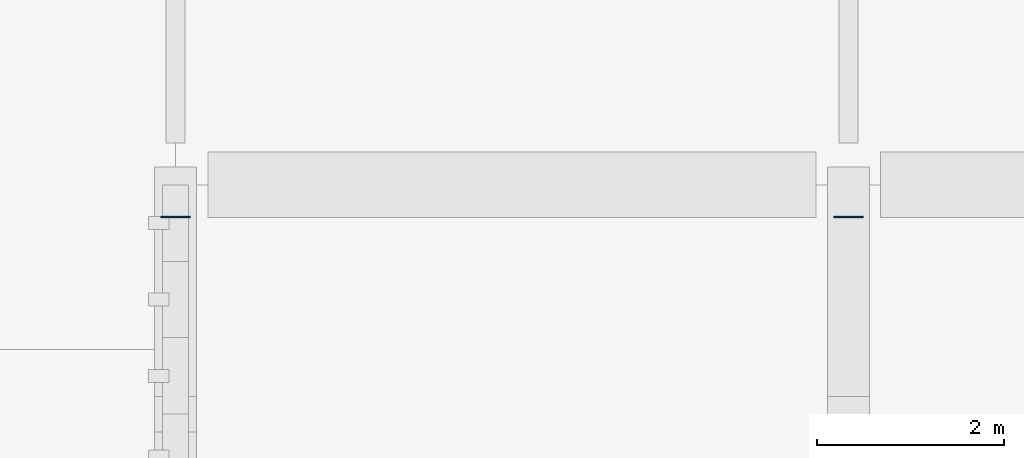
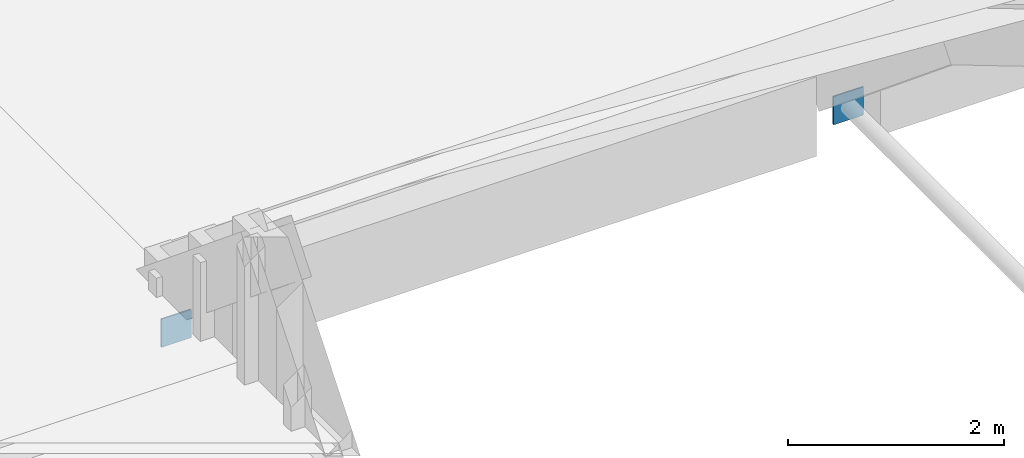
# One storey, part 42 of 71: 2 plates.
"""IFC4 building model written with IfcOpenShell, lengths in metres."""

from ifc_helpers import new_model, si_unit, direction, frame, origin, origin_2d, place, context, subcontext, project, spatial, rectangle, extrude, material, layer, layer_set, type_object, element, save


model = new_model("IFC4")

# Units and contexts
model_context = context("Model", 3, precision=1e-05, world=origin(), true_north=direction((0.0, 1.0)))
body_context = subcontext(model_context, "Body", "Model", "MODEL_VIEW")
ifc_project = project(units=[si_unit("LENGTHUNIT", "METRE"), si_unit("AREAUNIT", "SQUARE_METRE"), si_unit("VOLUMEUNIT", "CUBIC_METRE"), si_unit("PLANEANGLEUNIT", "RADIAN"), si_unit("MASSUNIT", "GRAM", prefix="KILO")], contexts=[model_context])

# Site, building, storey
site_placement = place(None, origin())
site = spatial("IfcSite", under=ifc_project, at=site_placement, CompositionType="ELEMENT")
building_placement = place(site_placement, origin())
building = spatial("IfcBuilding", under=site, at=building_placement, Name="Sardonyx Promenade Sports Hall", CompositionType="ELEMENT")
storey_placement = place(building_placement, frame((0.0, 0.0, 16.0)))
storey = spatial("IfcBuildingStorey", under=building, at=storey_placement, Name="L03", CompositionType="ELEMENT", Elevation=16.0)

# Plates
ifc_material = material(Name="Steel S355JR", Category="steel")
ifc_layer = layer(ifc_material, 0.01611328125)
ifc_layer_set = layer_set([ifc_layer], Name="Plt_EndCap_EC2")
plate_type = type_object("IfcPlateType", Name="Plt_EndCap_EC2", PredefinedType="USERDEFINED", material=ifc_layer_set)
for number, where, z_axis, x_axis, name in (
    (1, (115.199951171875, 78.85791015625, -0.60986328125), (0.0, 0.0, 1.0), (1.0, 0.0, 0.0), "Tie-rod end-cap plate V2 17 N"),
    (2, (122.39990234375, 78.85791015625, -0.60986328125), (0.0, 0.0, 1.0), (1.0, 0.0, 0.0), "Tie-rod end-cap plate V2 18 N"),
):
    element("IfcPlate", number, at=place(storey_placement, frame(where, z_axis=z_axis, x_axis=x_axis)), inside=storey, type_object=plate_type, Name=name, ObjectType="END CAP PLATE", PredefinedType="USERDEFINED", context=body_context, shape_type="SweptSolid", body=[
        extrude(rectangle(XDim=0.320068359375, YDim=0.01611328125, at=origin_2d()), origin(), (0.0, 0.0, 1.0), 0.320068359375),
    ])

save(model, "model.ifc")
